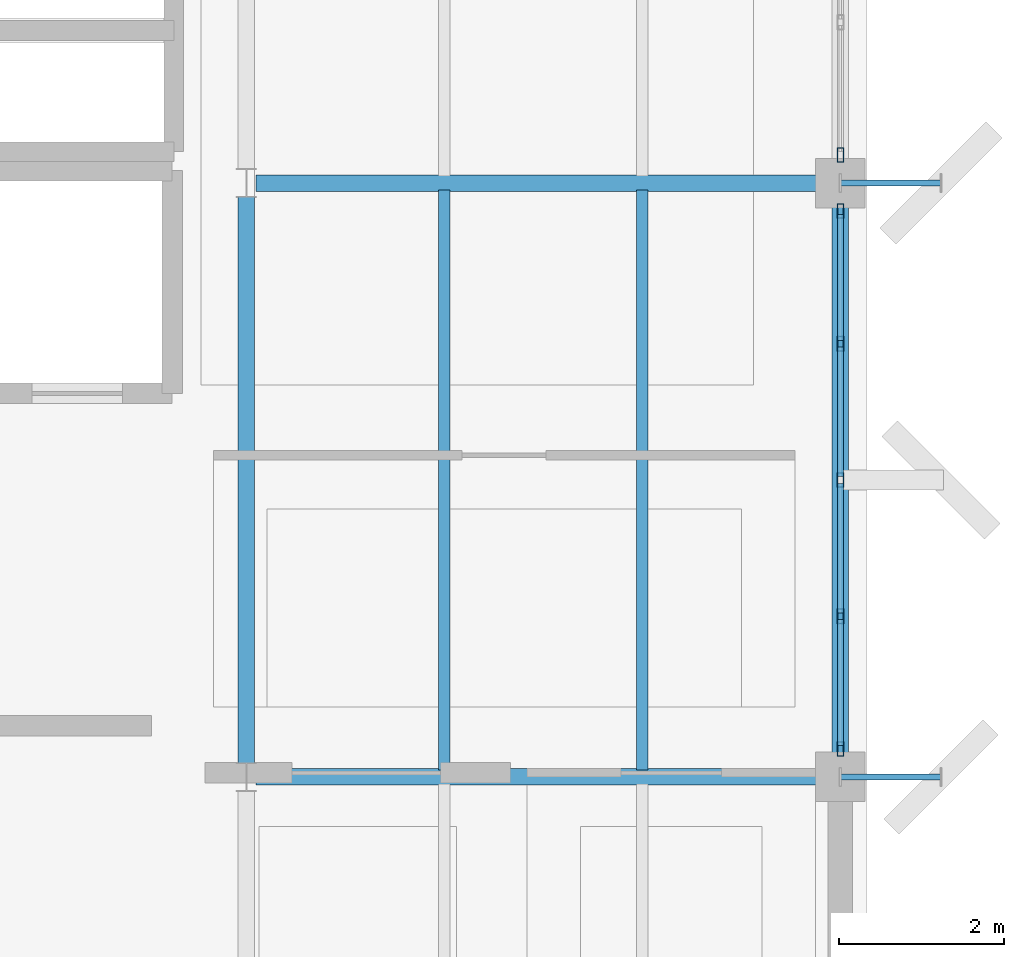
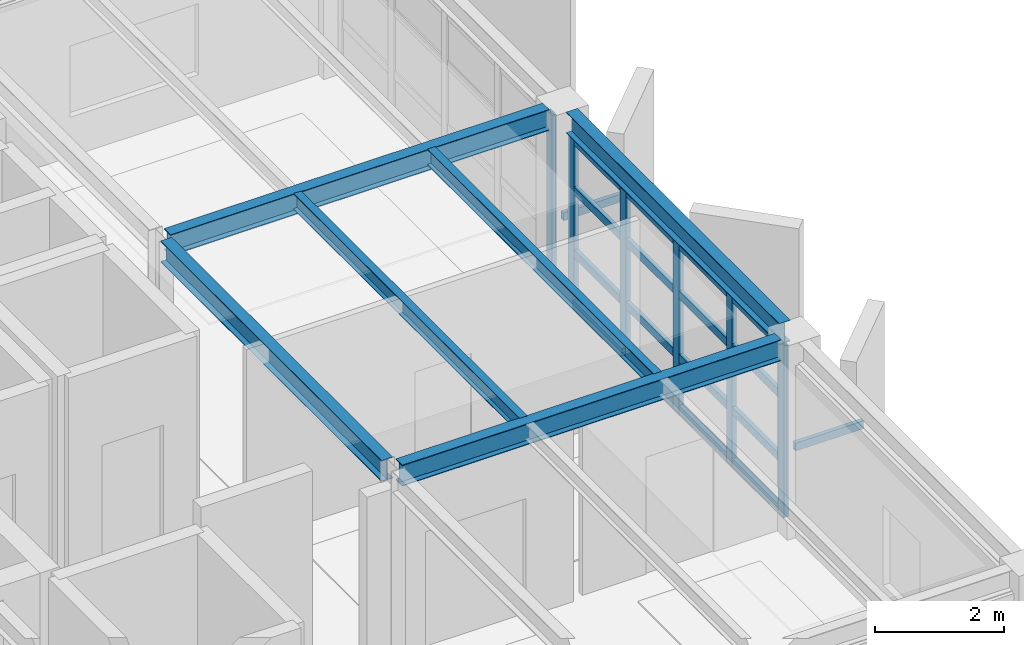
# One storey, part 6 of 15: 24 members, 6 beams, 2 elements without a shape of their own.
"""IFC4 building model written with IfcOpenShell, lengths in metres."""

from ifc_helpers import new_model, si_unit, direction, frame, origin, origin_2d, place, context, subcontext, project, spatial, hollow_rectangle, i_section, extrude, material, layer, layer_set, material_profile, profile_set, type_object, element, aggregate, save


model = new_model("IFC4")

# Units and contexts
model_context = context("Model", 3, precision=1e-05, world=origin(), true_north=direction((0.0, 1.0)))
body_context = subcontext(model_context, "Body", "Model", "MODEL_VIEW")
ifc_project = project(units=[si_unit("LENGTHUNIT", "METRE"), si_unit("AREAUNIT", "SQUARE_METRE"), si_unit("VOLUMEUNIT", "CUBIC_METRE"), si_unit("PLANEANGLEUNIT", "RADIAN"), si_unit("MASSUNIT", "GRAM", prefix="KILO")], contexts=[model_context])

# Site, building, storey
site_placement = place(None, origin())
site = spatial("IfcSite", under=ifc_project, at=site_placement, CompositionType="ELEMENT")
building_placement = place(site_placement, origin())
building = spatial("IfcBuilding", under=site, at=building_placement, Name="Kandorven Conservatory and Botanical Research Centre", CompositionType="ELEMENT")
storey_placement = place(building_placement, frame((0.0, 0.0, 48.300048828125)))
storey = spatial("IfcBuildingStorey", under=building, at=storey_placement, Name="L12", CompositionType="ELEMENT", Elevation=48.300048828125)

# Beams
ifc_material_1 = material(Name="Steel S355 (IS 2062 E350)", Category="steel")
ifc_material_profile_1 = material_profile(ifc_material_1, i_section(OverallWidth=0.199951171875, OverallDepth=0.39990234375, WebThickness=0.008544921875, FlangeThickness=0.012939453125, at=origin_2d()))
ifc_profile_set_1 = profile_set([ifc_material_profile_1], Name="Steel S355 (IS 2062 E350)")
beam_type_1 = type_object("IfcBeamType", Name="Beam_FG-03", PredefinedType="USERDEFINED", material=ifc_profile_set_1)
for number, where, z_axis, x_axis, name in (
    (1, (27.715087890625, 13.199951171875, 3.47998046875), (1.0, 0.0, 0.0), (0.0, 1.0, 0.0), "Primary girder FG-03 TWR L12"),
    (2, (27.715087890625, 20.39990234375, 3.47998046875), (1.0, 0.0, 0.0), (0.0, 1.0, 0.0), "Primary girder FG-03 TWR L12"),
):
    element("IfcBeam", number, at=place(storey_placement, frame(where, z_axis=z_axis, x_axis=x_axis)), inside=storey, type_object=beam_type_1, Name=name, ObjectType="GIRDER", PredefinedType="USERDEFINED", context=body_context, shape_type="SweptSolid", body=[
        extrude(i_section(OverallWidth=0.199951171875, OverallDepth=0.39990234375, WebThickness=0.008544921875, FlangeThickness=0.012939453125, at=origin_2d()), origin(), (0.0, 0.0, 1.0), 6.794921875),
    ])
beam_1_placement = place(storey_placement, frame((27.60009765625, 13.364990234375, 3.47998046875), z_axis=(0.0, 1.0, 0.0), x_axis=(-1.0, 0.0, 0.0)))
element("IfcBeam", 3, at=beam_1_placement, inside=storey, type_object=beam_type_1, Name="Primary girder FG-03 TWR L12", ObjectType="GIRDER", PredefinedType="USERDEFINED", context=body_context, shape_type="SweptSolid", body=[
    extrude(i_section(OverallWidth=0.199951171875, OverallDepth=0.39990234375, WebThickness=0.008544921875, FlangeThickness=0.012939453125, at=origin_2d()), origin(), (0.0, 0.0, 1.0), 6.8701171875),
])
beam_2_placement = place(storey_placement, frame((34.800048828125, 13.489990234375, 3.47998046875), z_axis=(0.0, 1.0, 0.0), x_axis=(-1.0, 0.0, 0.0)))
element("IfcBeam", 4, at=beam_2_placement, inside=storey, type_object=beam_type_1, Name="Primary girder FG-03 TWR L12", ObjectType="GIRDER", PredefinedType="USERDEFINED", context=body_context, shape_type="SweptSolid", body=[
    extrude(i_section(OverallWidth=0.199951171875, OverallDepth=0.39990234375, WebThickness=0.008544921875, FlangeThickness=0.012939453125, at=origin_2d()), origin(), (0.0, 0.0, 1.0), 6.6201171875),
])
ifc_material_2 = material(Name="Steel S355 (IS 2062 E350)", Category="steel")
ifc_material_profile_2 = material_profile(ifc_material_2, i_section(OverallWidth=0.139892578125, OverallDepth=0.300048828125, WebThickness=0.0078125, FlangeThickness=0.01318359375, at=origin_2d()))
ifc_profile_set_2 = profile_set([ifc_material_profile_2], Name="Steel S355 (IS 2062 E350)")
beam_type_2 = type_object("IfcBeamType", Name="Beam_SB-07", PredefinedType="BEAM", material=ifc_profile_set_2)
for number, where, z_axis, x_axis, name in (
    (5, (30.0, 13.284912109375, 3.530029296875), (0.0, 1.0, 0.0), (-1.0, 0.0, 0.0), "Composite secondary beam SB-07 TWR L12"),
    (6, (32.39990234375, 13.284912109375, 3.530029296875), (0.0, 1.0, 0.0), (-1.0, 0.0, 0.0), "Composite secondary beam SB-07 TWR L12"),
):
    element("IfcBeam", number, at=place(storey_placement, frame(where, z_axis=z_axis, x_axis=x_axis)), inside=storey, type_object=beam_type_2, Name=name, PredefinedType="BEAM", context=body_context, shape_type="SweptSolid", body=[
        extrude(i_section(OverallWidth=0.139892578125, OverallDepth=0.300048828125, WebThickness=0.0078125, FlangeThickness=0.01318359375, at=origin_2d()), origin(), (0.0, 0.0, 1.0), 7.030029296875),
    ])

# Curtain wall, members
ifc_material_3 = material(Name="Bronze anodised thermally broken aluminium", Category="aluminium")
ifc_layer = layer(ifc_material_3, 0.179931640625)
ifc_layer_set = layer_set([ifc_layer], Name="Bronze anodised thermally broken aluminium")
curtain_wall_type = type_object("IfcCurtainWallType", Name="CW_Unitised", PredefinedType="USERDEFINED", material=ifc_layer_set)
curtain_wall_1_placement = place(storey_placement, origin())
curtain_wall_1 = element("IfcCurtainWall", 7, at=curtain_wall_1_placement, inside=storey, type_object=curtain_wall_type, Name="Tower laboratory curtain wall CW-TWR-E-L12-2", ObjectType="UNITISED GLAZING", PredefinedType="USERDEFINED")
ifc_material_4 = material(Name="Bronze anodised thermally broken aluminium", Category="aluminium")
ifc_material_profile_3 = material_profile(ifc_material_4, hollow_rectangle(XDim=0.080078125, YDim=0.179931640625, WallThickness=0.006103515625, at=origin_2d()))
ifc_profile_set_3 = profile_set([ifc_material_profile_3], Name="Bronze anodised thermally broken aluminium")
member_type_1 = type_object("IfcMemberType", Name="CW_Mullion", PredefinedType="MULLION", material=ifc_profile_set_3)
member_1_placement = place(storey_placement, frame((34.800048828125, 13.5400390625, 0.0), z_axis=(0.0, 0.0, 1.0), x_axis=(-1.0, 0.0, 0.0)))
member_1 = element("IfcMember", 8, at=member_1_placement, type_object=member_type_1, Name="CW-01 mullion 1", PredefinedType="MULLION", context=body_context, shape_type="SweptSolid", body=[
    extrude(hollow_rectangle(XDim=0.080078125, YDim=0.179931640625, WallThickness=0.006103515625, at=origin_2d()), origin(), (0.0, 0.0, 1.0), 3.260009765625),
])
member_2_placement = place(storey_placement, frame((34.800048828125, 15.14990234375, 0.0), z_axis=(0.0, 0.0, 1.0), x_axis=(-1.0, 0.0, 0.0)))
member_2 = element("IfcMember", 9, at=member_2_placement, type_object=member_type_1, Name="CW-01 mullion 2", PredefinedType="MULLION", context=body_context, shape_type="SweptSolid", body=[
    extrude(hollow_rectangle(XDim=0.080078125, YDim=0.179931640625, WallThickness=0.006103515625, at=origin_2d()), origin(), (0.0, 0.0, 1.0), 3.260009765625),
])
member_3_placement = place(storey_placement, frame((34.800048828125, 16.800048828125, 0.0), z_axis=(0.0, 0.0, 1.0), x_axis=(-1.0, 0.0, 0.0)))
member_3 = element("IfcMember", 10, at=member_3_placement, type_object=member_type_1, Name="CW-01 mullion 3", PredefinedType="MULLION", context=body_context, shape_type="SweptSolid", body=[
    extrude(hollow_rectangle(XDim=0.080078125, YDim=0.179931640625, WallThickness=0.006103515625, at=origin_2d()), origin(), (0.0, 0.0, 1.0), 3.260009765625),
])
member_4_placement = place(storey_placement, frame((34.800048828125, 18.449951171875, 0.0), z_axis=(0.0, 0.0, 1.0), x_axis=(-1.0, 0.0, 0.0)))
member_4 = element("IfcMember", 11, at=member_4_placement, type_object=member_type_1, Name="CW-01 mullion 4", PredefinedType="MULLION", context=body_context, shape_type="SweptSolid", body=[
    extrude(hollow_rectangle(XDim=0.080078125, YDim=0.179931640625, WallThickness=0.006103515625, at=origin_2d()), origin(), (0.0, 0.0, 1.0), 3.260009765625),
])
member_5_placement = place(storey_placement, frame((34.800048828125, 20.06005859375, 0.0), z_axis=(0.0, 0.0, 1.0), x_axis=(-1.0, 0.0, 0.0)))
member_5 = element("IfcMember", 12, at=member_5_placement, type_object=member_type_1, Name="CW-01 mullion 5", PredefinedType="MULLION", context=body_context, shape_type="SweptSolid", body=[
    extrude(hollow_rectangle(XDim=0.080078125, YDim=0.179931640625, WallThickness=0.006103515625, at=origin_2d()), origin(), (0.0, 0.0, 1.0), 3.260009765625),
])

# Curtain wall, member
curtain_wall_2_placement = place(storey_placement, origin())
curtain_wall_2 = element("IfcCurtainWall", 13, at=curtain_wall_2_placement, inside=storey, type_object=curtain_wall_type, Name="Tower laboratory curtain wall CW-TWR-E-L12-3", ObjectType="UNITISED GLAZING", PredefinedType="USERDEFINED")
member_6_placement = place(storey_placement, frame((34.800048828125, 20.739990234375, 0.0), z_axis=(0.0, 0.0, 1.0), x_axis=(-1.0, 0.0, 0.0)))
member_6 = element("IfcMember", 14, at=member_6_placement, type_object=member_type_1, Name="CW-01 mullion 1", PredefinedType="MULLION", context=body_context, shape_type="SweptSolid", body=[
    extrude(hollow_rectangle(XDim=0.080078125, YDim=0.179931640625, WallThickness=0.006103515625, at=origin_2d()), origin(), (0.0, 0.0, 1.0), 3.260009765625),
])
aggregate(curtain_wall_2, [member_6])

# Member
ifc_material_5 = material(Name="Bronze anodised thermally broken aluminium", Category="aluminium")
ifc_material_profile_4 = material_profile(ifc_material_5, hollow_rectangle(XDim=0.074951171875, YDim=0.14990234375, WallThickness=0.006103515625, at=origin_2d()))
ifc_profile_set_4 = profile_set([ifc_material_profile_4], Name="Bronze anodised thermally broken aluminium")
member_type_2 = type_object("IfcMemberType", Name="CW_Transom", PredefinedType="USERDEFINED", material=ifc_profile_set_4)
member_7_placement = place(storey_placement, frame((34.800048828125, 13.580078125, 0.074951171875), z_axis=(0.0, 1.0, 0.0), x_axis=(-1.0, 0.0, 0.0)))
member_7 = element("IfcMember", 15, at=member_7_placement, type_object=member_type_2, Name="CW-01 transom 1.1", ObjectType="TRANSOM", PredefinedType="USERDEFINED", context=body_context, shape_type="SweptSolid", body=[
    extrude(hollow_rectangle(XDim=0.074951171875, YDim=0.14990234375, WallThickness=0.006103515625, at=origin_2d()), origin(), (0.0, 0.0, 1.0), 1.530029296875),
])

member_8_placement = place(storey_placement, frame((34.800048828125, 13.580078125, 1.050048828125), z_axis=(0.0, 1.0, 0.0), x_axis=(-1.0, 0.0, 0.0)))
member_8 = element("IfcMember", 16, at=member_8_placement, type_object=member_type_2, Name="CW-01 transom 1.2", ObjectType="TRANSOM", PredefinedType="USERDEFINED", context=body_context, shape_type="SweptSolid", body=[
    extrude(hollow_rectangle(XDim=0.074951171875, YDim=0.14990234375, WallThickness=0.006103515625, at=origin_2d()), origin(), (0.0, 0.0, 1.0), 1.530029296875),
])

member_9_placement = place(storey_placement, frame((34.800048828125, 13.580078125, 2.25), z_axis=(0.0, 1.0, 0.0), x_axis=(-1.0, 0.0, 0.0)))
member_9 = element("IfcMember", 17, at=member_9_placement, type_object=member_type_2, Name="CW-01 transom 1.3", ObjectType="TRANSOM", PredefinedType="USERDEFINED", context=body_context, shape_type="SweptSolid", body=[
    extrude(hollow_rectangle(XDim=0.074951171875, YDim=0.14990234375, WallThickness=0.006103515625, at=origin_2d()), origin(), (0.0, 0.0, 1.0), 1.530029296875),
])

member_10_placement = place(storey_placement, frame((34.800048828125, 13.580078125, 3.18505859375), z_axis=(0.0, 1.0, 0.0), x_axis=(-1.0, 0.0, 0.0)))
member_10 = element("IfcMember", 18, at=member_10_placement, type_object=member_type_2, Name="CW-01 transom 1.4", ObjectType="TRANSOM", PredefinedType="USERDEFINED", context=body_context, shape_type="SweptSolid", body=[
    extrude(hollow_rectangle(XDim=0.074951171875, YDim=0.14990234375, WallThickness=0.006103515625, at=origin_2d()), origin(), (0.0, 0.0, 1.0), 1.530029296875),
])

member_11_placement = place(storey_placement, frame((34.800048828125, 15.18994140625, 0.074951171875), z_axis=(0.0, 1.0, 0.0), x_axis=(-1.0, 0.0, 0.0)))
member_11 = element("IfcMember", 19, at=member_11_placement, type_object=member_type_2, Name="CW-01 transom 2.1", ObjectType="TRANSOM", PredefinedType="USERDEFINED", context=body_context, shape_type="SweptSolid", body=[
    extrude(hollow_rectangle(XDim=0.074951171875, YDim=0.14990234375, WallThickness=0.006103515625, at=origin_2d()), origin(), (0.0, 0.0, 1.0), 1.570068359375),
])

member_12_placement = place(storey_placement, frame((34.800048828125, 15.18994140625, 1.050048828125), z_axis=(0.0, 1.0, 0.0), x_axis=(-1.0, 0.0, 0.0)))
member_12 = element("IfcMember", 20, at=member_12_placement, type_object=member_type_2, Name="CW-01 transom 2.2", ObjectType="TRANSOM", PredefinedType="USERDEFINED", context=body_context, shape_type="SweptSolid", body=[
    extrude(hollow_rectangle(XDim=0.074951171875, YDim=0.14990234375, WallThickness=0.006103515625, at=origin_2d()), origin(), (0.0, 0.0, 1.0), 1.570068359375),
])

member_13_placement = place(storey_placement, frame((34.800048828125, 15.18994140625, 2.25), z_axis=(0.0, 1.0, 0.0), x_axis=(-1.0, 0.0, 0.0)))
member_13 = element("IfcMember", 21, at=member_13_placement, type_object=member_type_2, Name="CW-01 transom 2.3", ObjectType="TRANSOM", PredefinedType="USERDEFINED", context=body_context, shape_type="SweptSolid", body=[
    extrude(hollow_rectangle(XDim=0.074951171875, YDim=0.14990234375, WallThickness=0.006103515625, at=origin_2d()), origin(), (0.0, 0.0, 1.0), 1.570068359375),
])

member_14_placement = place(storey_placement, frame((34.800048828125, 15.18994140625, 3.18505859375), z_axis=(0.0, 1.0, 0.0), x_axis=(-1.0, 0.0, 0.0)))
member_14 = element("IfcMember", 22, at=member_14_placement, type_object=member_type_2, Name="CW-01 transom 2.4", ObjectType="TRANSOM", PredefinedType="USERDEFINED", context=body_context, shape_type="SweptSolid", body=[
    extrude(hollow_rectangle(XDim=0.074951171875, YDim=0.14990234375, WallThickness=0.006103515625, at=origin_2d()), origin(), (0.0, 0.0, 1.0), 1.570068359375),
])

member_15_placement = place(storey_placement, frame((34.800048828125, 16.840087890625, 0.074951171875), z_axis=(0.0, 1.0, 0.0), x_axis=(-1.0, 0.0, 0.0)))
member_15 = element("IfcMember", 23, at=member_15_placement, type_object=member_type_2, Name="CW-01 transom 3.1", ObjectType="TRANSOM", PredefinedType="USERDEFINED", context=body_context, shape_type="SweptSolid", body=[
    extrude(hollow_rectangle(XDim=0.074951171875, YDim=0.14990234375, WallThickness=0.006103515625, at=origin_2d()), origin(), (0.0, 0.0, 1.0), 1.56982421875),
])

member_16_placement = place(storey_placement, frame((34.800048828125, 16.840087890625, 1.050048828125), z_axis=(0.0, 1.0, 0.0), x_axis=(-1.0, 0.0, 0.0)))
member_16 = element("IfcMember", 24, at=member_16_placement, type_object=member_type_2, Name="CW-01 transom 3.2", ObjectType="TRANSOM", PredefinedType="USERDEFINED", context=body_context, shape_type="SweptSolid", body=[
    extrude(hollow_rectangle(XDim=0.074951171875, YDim=0.14990234375, WallThickness=0.006103515625, at=origin_2d()), origin(), (0.0, 0.0, 1.0), 1.56982421875),
])

member_17_placement = place(storey_placement, frame((34.800048828125, 16.840087890625, 2.25), z_axis=(0.0, 1.0, 0.0), x_axis=(-1.0, 0.0, 0.0)))
member_17 = element("IfcMember", 25, at=member_17_placement, type_object=member_type_2, Name="CW-01 transom 3.3", ObjectType="TRANSOM", PredefinedType="USERDEFINED", context=body_context, shape_type="SweptSolid", body=[
    extrude(hollow_rectangle(XDim=0.074951171875, YDim=0.14990234375, WallThickness=0.006103515625, at=origin_2d()), origin(), (0.0, 0.0, 1.0), 1.56982421875),
])

member_18_placement = place(storey_placement, frame((34.800048828125, 16.840087890625, 3.18505859375), z_axis=(0.0, 1.0, 0.0), x_axis=(-1.0, 0.0, 0.0)))
member_18 = element("IfcMember", 26, at=member_18_placement, type_object=member_type_2, Name="CW-01 transom 3.4", ObjectType="TRANSOM", PredefinedType="USERDEFINED", context=body_context, shape_type="SweptSolid", body=[
    extrude(hollow_rectangle(XDim=0.074951171875, YDim=0.14990234375, WallThickness=0.006103515625, at=origin_2d()), origin(), (0.0, 0.0, 1.0), 1.56982421875),
])

member_19_placement = place(storey_placement, frame((34.800048828125, 18.489990234375, 0.074951171875), z_axis=(0.0, 1.0, 0.0), x_axis=(-1.0, 0.0, 0.0)))
member_19 = element("IfcMember", 27, at=member_19_placement, type_object=member_type_2, Name="CW-01 transom 4.1", ObjectType="TRANSOM", PredefinedType="USERDEFINED", context=body_context, shape_type="SweptSolid", body=[
    extrude(hollow_rectangle(XDim=0.074951171875, YDim=0.14990234375, WallThickness=0.006103515625, at=origin_2d()), origin(), (0.0, 0.0, 1.0), 1.530029296875),
])

member_20_placement = place(storey_placement, frame((34.800048828125, 18.489990234375, 1.050048828125), z_axis=(0.0, 1.0, 0.0), x_axis=(-1.0, 0.0, 0.0)))
member_20 = element("IfcMember", 28, at=member_20_placement, type_object=member_type_2, Name="CW-01 transom 4.2", ObjectType="TRANSOM", PredefinedType="USERDEFINED", context=body_context, shape_type="SweptSolid", body=[
    extrude(hollow_rectangle(XDim=0.074951171875, YDim=0.14990234375, WallThickness=0.006103515625, at=origin_2d()), origin(), (0.0, 0.0, 1.0), 1.530029296875),
])

member_21_placement = place(storey_placement, frame((34.800048828125, 18.489990234375, 2.25), z_axis=(0.0, 1.0, 0.0), x_axis=(-1.0, 0.0, 0.0)))
member_21 = element("IfcMember", 29, at=member_21_placement, type_object=member_type_2, Name="CW-01 transom 4.3", ObjectType="TRANSOM", PredefinedType="USERDEFINED", context=body_context, shape_type="SweptSolid", body=[
    extrude(hollow_rectangle(XDim=0.074951171875, YDim=0.14990234375, WallThickness=0.006103515625, at=origin_2d()), origin(), (0.0, 0.0, 1.0), 1.530029296875),
])

member_22_placement = place(storey_placement, frame((34.800048828125, 18.489990234375, 3.18505859375), z_axis=(0.0, 1.0, 0.0), x_axis=(-1.0, 0.0, 0.0)))
member_22 = element("IfcMember", 30, at=member_22_placement, type_object=member_type_2, Name="CW-01 transom 4.4", ObjectType="TRANSOM", PredefinedType="USERDEFINED", context=body_context, shape_type="SweptSolid", body=[
    extrude(hollow_rectangle(XDim=0.074951171875, YDim=0.14990234375, WallThickness=0.006103515625, at=origin_2d()), origin(), (0.0, 0.0, 1.0), 1.530029296875),
])

aggregate(curtain_wall_1, [member_1, member_2, member_3, member_4, member_5, member_7, member_8, member_9, member_10, member_11, member_12, member_13, member_14, member_15, member_16, member_17, member_18, member_19, member_20, member_21, member_22])

# Members
ifc_material_6 = material(Name="Steel S355 (IS 2062 E350)", Category="steel")
ifc_material_profile_5 = material_profile(ifc_material_6, hollow_rectangle(XDim=0.074951171875, YDim=0.14990234375, WallThickness=0.006103515625, at=origin_2d()))
ifc_profile_set_5 = profile_set([ifc_material_profile_5], Name="Steel S355 (IS 2062 E350)")
member_type_3 = type_object("IfcMemberType", Name="Mem_SF-01", PredefinedType="STRUT", material=ifc_profile_set_5)
for number, where, z_axis, x_axis, name in (
    (31, (34.800048828125, 13.199951171875, 1.5), (1.0, 0.0, 0.0), (0.0, 1.0, 0.0), "Solar fin steel outrigger strut SF-01 #105"),
    (32, (34.800048828125, 20.39990234375, 1.5), (1.0, 0.0, 0.0), (0.0, 1.0, 0.0), "Solar fin steel outrigger strut SF-01 #107"),
):
    element("IfcMember", number, at=place(storey_placement, frame(where, z_axis=z_axis, x_axis=x_axis)), inside=storey, type_object=member_type_3, Name=name, PredefinedType="STRUT", context=body_context, shape_type="SweptSolid", body=[
        extrude(hollow_rectangle(XDim=0.074951171875, YDim=0.14990234375, WallThickness=0.006103515625, at=origin_2d()), origin(), (0.0, 0.0, 1.0), 1.219970703125),
    ])

save(model, "model.ifc")
